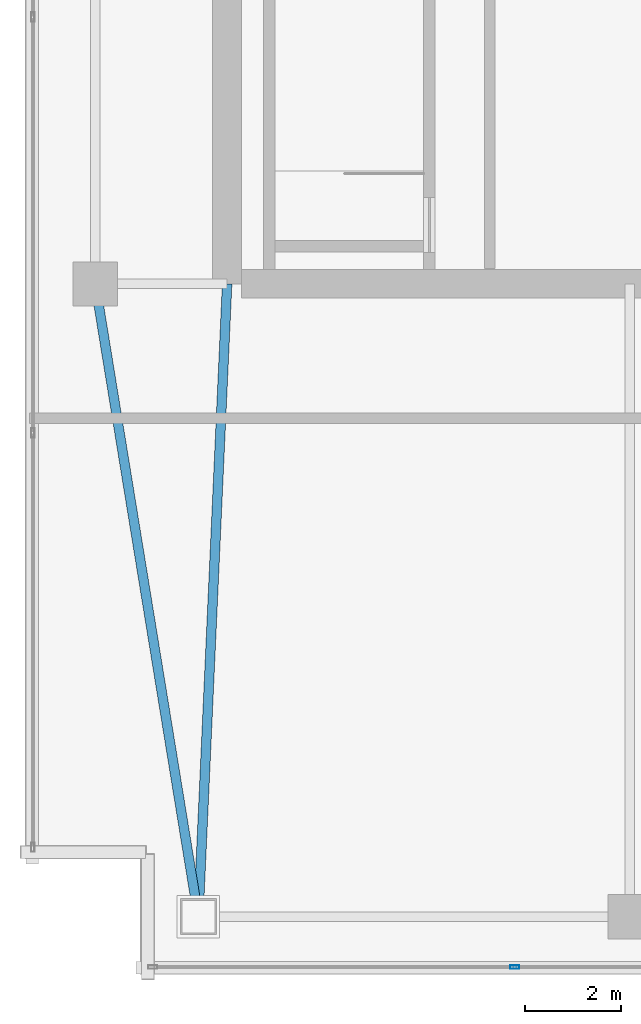
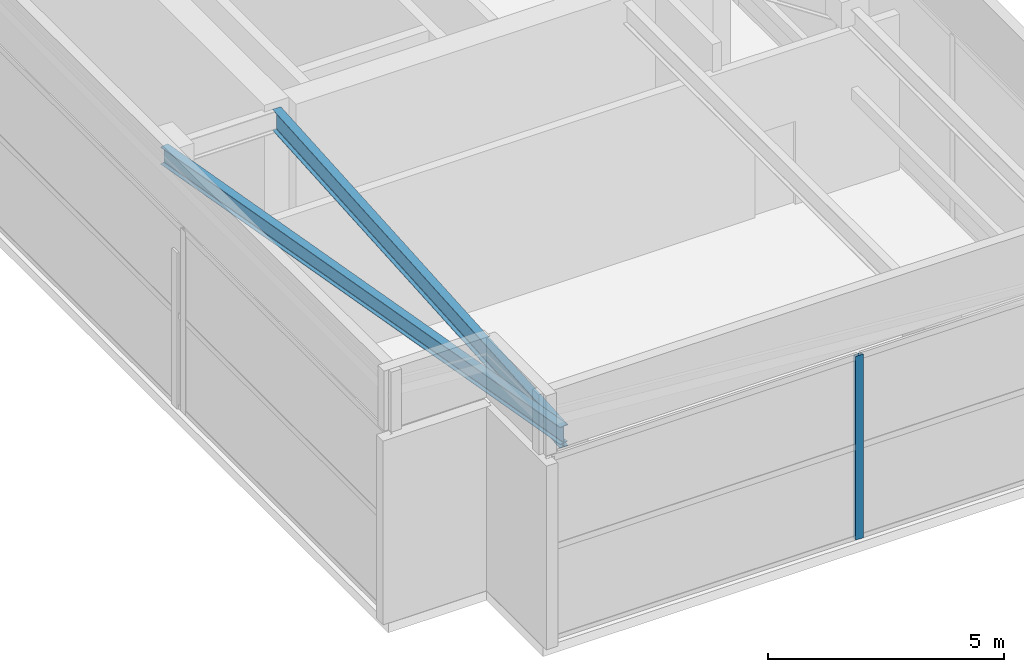
# One storey, part 4 of 20: 2 beams, 1 member, 1 element without a shape of its own.
"""IFC4 building model written with IfcOpenShell, lengths in metres."""

from ifc_helpers import new_model, si_unit, direction, frame, origin, origin_2d, place, context, subcontext, project, spatial, hollow_rectangle, i_section, extrude, material, layer, layer_set, material_profile, profile_set, type_object, element, aggregate, save


model = new_model("IFC4")

# Units and contexts
model_context = context("Model", 3, precision=1e-05, world=origin(), true_north=direction((0.0, 1.0)))
body_context = subcontext(model_context, "Body", "Model", "MODEL_VIEW")
ifc_project = project(units=[si_unit("LENGTHUNIT", "METRE"), si_unit("AREAUNIT", "SQUARE_METRE"), si_unit("VOLUMEUNIT", "CUBIC_METRE"), si_unit("PLANEANGLEUNIT", "RADIAN"), si_unit("MASSUNIT", "GRAM", prefix="KILO")], contexts=[model_context])

# Site, building, storey
site_placement = place(None, origin())
site = spatial("IfcSite", under=ifc_project, at=site_placement, CompositionType="ELEMENT")
building_placement = place(site_placement, origin())
building = spatial("IfcBuilding", under=site, at=building_placement, Name="Calvorn Quay Hotel", CompositionType="ELEMENT")
storey_placement = place(building_placement, frame((0.0, 0.0, 345.5)))
storey = spatial("IfcBuildingStorey", under=building, at=storey_placement, Name="L84", CompositionType="ELEMENT", Elevation=345.5)

# Beams
ifc_material_1 = material(Name="Steel Q355B", Category="steel")
ifc_material_profile_1 = material_profile(ifc_material_1, i_section(OverallWidth=0.199951171875, OverallDepth=0.550048828125, WebThickness=0.010009765625, FlangeThickness=0.01611328125, FilletRadius=0.01806640625, at=origin_2d()), Name="HN550x200x10x16")
ifc_profile_set_1 = profile_set([ifc_material_profile_1], Name="Steel Q355B")
beam_type_1 = type_object("IfcBeamType", Name="BM-GIRD-UPP", PredefinedType="BEAM", material=ifc_profile_set_1)
beam_1_placement = place(storey_placement, frame((3.60009765625, 3.60009765625, 4.304931640625), z_axis=(0.045396765494, 0.998969035397, 0.0), x_axis=(-0.998969035397, 0.045396765494, 0.0)))
element("IfcBeam", 1, at=beam_1_placement, inside=storey, type_object=beam_type_1, Name="Beam BG-L84-W0", PredefinedType="BEAM", context=body_context, shape_type="SweptSolid", body=[
    extrude(i_section(OverallWidth=0.199951171875, OverallDepth=0.550048828125, WebThickness=0.010009765625, FlangeThickness=0.01611328125, FilletRadius=0.01806640625, at=origin_2d()), origin(), (0.0, 0.0, 1.0), 13.213623046875),
])
ifc_material_2 = material(Name="Steel Q355B", Category="steel")
ifc_material_profile_2 = material_profile(ifc_material_2, i_section(OverallWidth=0.199951171875, OverallDepth=0.449951171875, WebThickness=0.009033203125, FlangeThickness=0.013916015625, FilletRadius=0.01611328125, at=origin_2d()), Name="HN450x200x9x14")
ifc_profile_set_2 = profile_set([ifc_material_profile_2], Name="Steel Q355B")
beam_type_2 = type_object("IfcBeamType", Name="BM-SPANDREL-Z3", PredefinedType="SPANDREL", material=ifc_profile_set_2)
beam_2_placement = place(storey_placement, frame((3.60009765625, 3.60009765625, 4.35498046875), z_axis=(-0.16077155054, 0.986991645627, 0.0), x_axis=(-0.986991645627, -0.16077155054, 0.0)))
element("IfcBeam", 2, at=beam_2_placement, inside=storey, type_object=beam_type_2, Name="Beam BSP-L84-W1", PredefinedType="SPANDREL", context=body_context, shape_type="SweptSolid", body=[
    extrude(i_section(OverallWidth=0.199951171875, OverallDepth=0.449951171875, WebThickness=0.009033203125, FlangeThickness=0.013916015625, FilletRadius=0.01611328125, at=origin_2d()), origin(), (0.0, 0.0, 1.0), 13.3740234375),
])

# Curtain wall, member
ifc_material_3 = material(Name="Pale Anodised Aluminium and Laminated Glass", Category="aluminium")
ifc_layer = layer(ifc_material_3, 0.219970703125)
ifc_layer_set = layer_set([ifc_layer], Name="CW-SYS-CRN")
curtain_wall_type = type_object("IfcCurtainWallType", Name="CW-SYS-CRN", PredefinedType="NOTDEFINED", material=ifc_layer_set)
curtain_wall_placement = place(storey_placement, origin())
curtain_wall = element("IfcCurtainWall", 3, at=curtain_wall_placement, inside=storey, type_object=curtain_wall_type, Name="Crown Curtain Wall L84-C1", PredefinedType="NOTDEFINED")
ifc_material_4 = material(Name="Pale Anodised Aluminium 6063-T6", Category="aluminium")
ifc_material_profile_3 = material_profile(ifc_material_4, hollow_rectangle(XDim=0.072021484375, YDim=0.195068359375, WallThickness=0.00390625, at=origin_2d()), Name="ALU-M195x72x4")
ifc_profile_set_3 = profile_set([ifc_material_profile_3], Name="Pale Anodised Aluminium 6063-T6")
member_type = type_object("IfcMemberType", Name="CW-SYS-CRN-MUL", PredefinedType="MULLION", material=ifc_profile_set_3)
member_placement = place(storey_placement, frame((10.199951171875, 2.550048828125, 0.0), z_axis=(0.0, 0.0, 1.0), x_axis=(0.0, 1.0, 0.0)))
member = element("IfcMember", 4, at=member_placement, type_object=member_type, Name="CW-L84-C1 mullion 2", PredefinedType="MULLION", context=body_context, shape_type="SweptSolid", body=[
    extrude(hollow_rectangle(XDim=0.072021484375, YDim=0.195068359375, WallThickness=0.00390625, at=origin_2d()), origin(), (0.0, 0.0, 1.0), 4.75),
])
aggregate(curtain_wall, [member])

save(model, "model.ifc")
